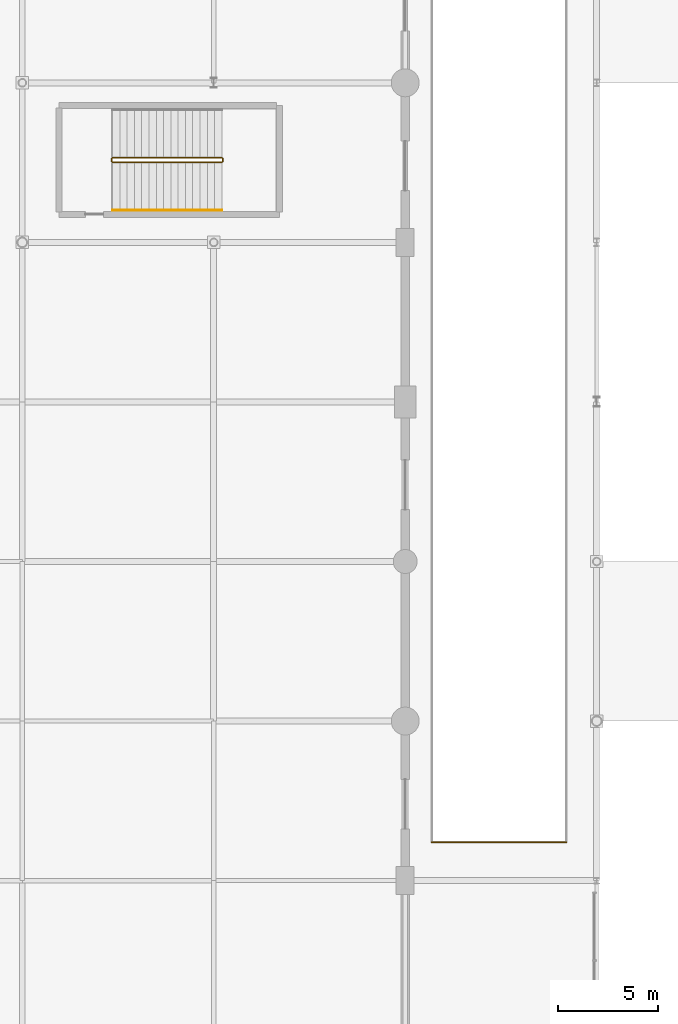
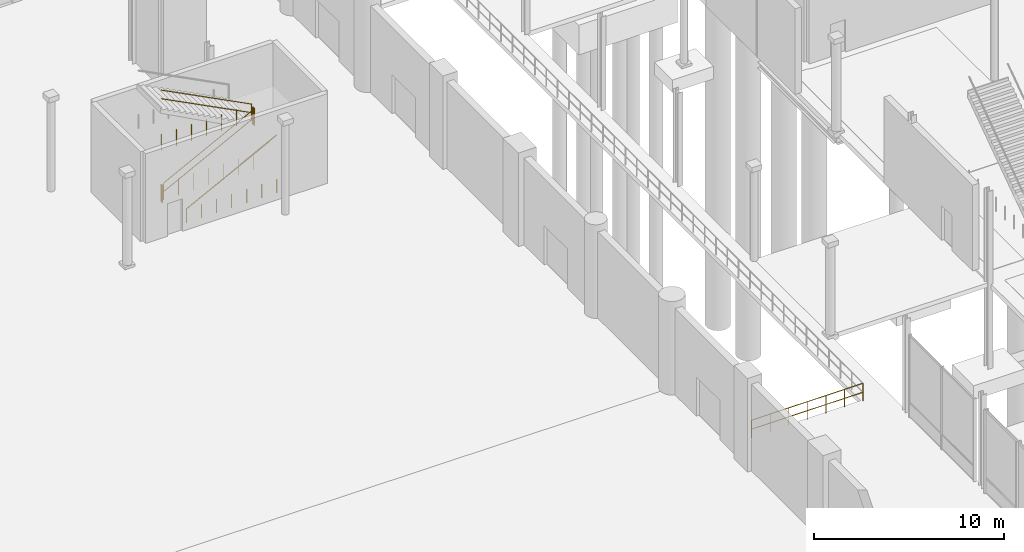
# One storey, part 112 of 124: 6 railings.
"""IFC4 building model written with IfcOpenShell, lengths in metres."""

from ifc_helpers import new_model, si_unit, direction, frame, origin, origin_2d, place, context, subcontext, project, spatial, circle, extrude, material, type_object, element, save


model = new_model("IFC4")

# Units and contexts
model_context = context("Model", 3, precision=1e-05, world=origin(), true_north=direction((0.0, 1.0)))
body_context = subcontext(model_context, "Body", "Model", "MODEL_VIEW")
ifc_project = project(units=[si_unit("LENGTHUNIT", "METRE"), si_unit("AREAUNIT", "SQUARE_METRE"), si_unit("VOLUMEUNIT", "CUBIC_METRE"), si_unit("PLANEANGLEUNIT", "RADIAN"), si_unit("MASSUNIT", "GRAM", prefix="KILO")], contexts=[model_context])

# Site, building, storey
site_placement = place(None, origin())
site = spatial("IfcSite", under=ifc_project, at=site_placement, CompositionType="ELEMENT")
building_placement = place(site_placement, origin())
building = spatial("IfcBuilding", under=site, at=building_placement, Name="Danafjord Basin Convention Centre", CompositionType="ELEMENT")
storey_placement = place(building_placement, origin())
storey = spatial("IfcBuildingStorey", under=building, at=storey_placement, Name="L00", CompositionType="ELEMENT", Elevation=0.0)

# Railings
ifc_material_1 = material(Name="Galvanised and powder-coated steel S355", Category="steel")
railing_type_1 = type_object("IfcRailingType", Name="RL-BAL-STL", PredefinedType="BALUSTRADE", material=ifc_material_1)
railing_1_placement = place(storey_placement, frame((116.52001953125, 89.919921875, 0.0)))
element("IfcRailing", 1, at=railing_1_placement, inside=storey, type_object=railing_type_1, Name="L00 vehicle ramp well safety balustrade", PredefinedType="BALUSTRADE", context=body_context, shape_type="SweptSolid", body=[
    extrude(circle(Radius=0.02392578125, at=origin_2d()), frame((0.0, 0.0, 1.1259765625), z_axis=(1.0, 0.0, 0.0), x_axis=(0.0, 1.0, 0.0)), (0.0, 0.0, 1.0), 6.760009765625),
    extrude(circle(Radius=0.02392578125, at=origin_2d()), frame((0.0, 0.0, 0.55078125), z_axis=(1.0, 0.0, 0.0), x_axis=(0.0, 1.0, 0.0)), (0.0, 0.0, 1.0), 6.760009765625),
    extrude(circle(Radius=0.02099609375, at=origin_2d()), origin(), (0.0, 0.0, 1.0), 1.099853515625),
    extrude(circle(Radius=0.02099609375, at=origin_2d()), frame((1.126708984375, 0.0, 0.0)), (0.0, 0.0, 1.0), 1.099853515625),
    extrude(circle(Radius=0.02099609375, at=origin_2d()), frame((2.25341796875, 0.0, 0.0)), (0.0, 0.0, 1.0), 1.099853515625),
    extrude(circle(Radius=0.02099609375, at=origin_2d()), frame((3.3798828125, 0.0, 0.0)), (0.0, 0.0, 1.0), 1.099853515625),
    extrude(circle(Radius=0.02099609375, at=origin_2d()), frame((4.506591796875, 0.0, 0.0)), (0.0, 0.0, 1.0), 1.099853515625),
    extrude(circle(Radius=0.02099609375, at=origin_2d()), frame((5.63330078125, 0.0, 0.0)), (0.0, 0.0, 1.0), 1.099853515625),
    extrude(circle(Radius=0.02099609375, at=origin_2d()), frame((6.760009765625, 0.0, 0.0)), (0.0, 0.0, 1.0), 1.099853515625),
])
ifc_material_2 = material(Name="Galvanised steel S355", Category="steel")
railing_type_2 = type_object("IfcRailingType", Name="RL-GD-WELL", PredefinedType="BALUSTRADE", material=ifc_material_2)
railing_2_placement = place(storey_placement, frame((100.530029296875, 124.010009765625, 0.1875)))
element("IfcRailing", 2, at=railing_2_placement, inside=storey, type_object=railing_type_2, Name="L00 ST-09 stair guard 1", PredefinedType="BALUSTRADE", context=body_context, shape_type="SweptSolid", body=[
    extrude(circle(Radius=0.02392578125, at=origin_2d()), frame((0.0, 0.0, 1.076171875), z_axis=(0.889495128042, 0.0, 0.456944654405), x_axis=(0.0, 1.0, 0.0)), (0.0, 0.0, 1.0), 6.155029296875),
    extrude(circle(Radius=0.02392578125, at=origin_2d()), frame((0.0, 0.0, 0.52587890625), z_axis=(0.889495128042, 0.0, 0.456944654405), x_axis=(0.0, 1.0, 0.0)), (0.0, 0.0, 1.0), 6.155029296875),
    extrude(circle(Radius=0.02099609375, at=origin_2d()), origin(), (0.0, 0.0, 1.0), 1.050048828125),
    extrude(circle(Radius=0.02099609375, at=origin_2d()), frame((0.91259765625, 0.0, 0.0)), (0.0, 0.0, 1.0), 1.050048828125),
    extrude(circle(Radius=0.02099609375, at=origin_2d()), frame((1.824951171875, 0.0, 0.0)), (0.0, 0.0, 1.0), 1.050048828125),
    extrude(circle(Radius=0.02099609375, at=origin_2d()), frame((2.7373046875, 0.0, 0.0)), (0.0, 0.0, 1.0), 1.050048828125),
    extrude(circle(Radius=0.02099609375, at=origin_2d()), frame((3.64990234375, 0.0, 0.0)), (0.0, 0.0, 1.0), 1.050048828125),
    extrude(circle(Radius=0.02099609375, at=origin_2d()), frame((4.5625, 0.0, 0.0)), (0.0, 0.0, 1.0), 1.050048828125),
    extrude(circle(Radius=0.02099609375, at=origin_2d()), frame((5.474853515625, 0.0, 0.0)), (0.0, 0.0, 1.0), 1.050048828125),
])
railing_3_placement = place(storey_placement, frame((106.054931640625, 124.06005859375, 3.0)))
element("IfcRailing", 3, at=railing_3_placement, inside=storey, type_object=railing_type_2, Name="L00 ST-09 stair guard 2", PredefinedType="BALUSTRADE", context=body_context, shape_type="SweptSolid", body=[
    extrude(circle(Radius=0.02392578125, at=origin_2d()), frame((0.0, 0.0, 1.076171875), z_axis=(0.0, 1.0, 0.0), x_axis=(-1.0, 0.0, 0.0)), (0.0, 0.0, 1.0), 0.139892578125),
    extrude(circle(Radius=0.02392578125, at=origin_2d()), frame((0.0, 0.0, 0.52587890625), z_axis=(0.0, 1.0, 0.0), x_axis=(-1.0, 0.0, 0.0)), (0.0, 0.0, 1.0), 0.139892578125),
    extrude(circle(Radius=0.02099609375, at=origin_2d()), origin(), (0.0, 0.0, 1.0), 1.050048828125),
    extrude(circle(Radius=0.02099609375, at=origin_2d()), frame((0.0, 0.139892578125, 0.0)), (0.0, 0.0, 1.0), 1.050048828125),
])
railing_4_placement = place(storey_placement, frame((106.0048828125, 124.25, 3.1875)))
element("IfcRailing", 4, at=railing_4_placement, inside=storey, type_object=railing_type_2, Name="L00 ST-09 stair guard 3", PredefinedType="BALUSTRADE", context=body_context, shape_type="SweptSolid", body=[
    extrude(circle(Radius=0.02392578125, at=origin_2d()), frame((0.0, 0.0, 1.076171875), z_axis=(-0.889495128042, 0.0, 0.456944654405), x_axis=(0.0, -1.0, 0.0)), (0.0, 0.0, 1.0), 6.155029296875),
    extrude(circle(Radius=0.02392578125, at=origin_2d()), frame((0.0, 0.0, 0.52587890625), z_axis=(-0.889495128042, 0.0, 0.456944654405), x_axis=(0.0, -1.0, 0.0)), (0.0, 0.0, 1.0), 6.155029296875),
    extrude(circle(Radius=0.02099609375, at=origin_2d()), origin(), (0.0, 0.0, 1.0), 1.050048828125),
    extrude(circle(Radius=0.02099609375, at=origin_2d()), frame((-0.91259765625, 0.0, 0.0)), (0.0, 0.0, 1.0), 1.050048828125),
    extrude(circle(Radius=0.02099609375, at=origin_2d()), frame((-1.824951171875, 0.0, 0.0)), (0.0, 0.0, 1.0), 1.050048828125),
    extrude(circle(Radius=0.02099609375, at=origin_2d()), frame((-2.7373046875, 0.0, 0.0)), (0.0, 0.0, 1.0), 1.050048828125),
    extrude(circle(Radius=0.02099609375, at=origin_2d()), frame((-3.64990234375, 0.0, 0.0)), (0.0, 0.0, 1.0), 1.050048828125),
    extrude(circle(Radius=0.02099609375, at=origin_2d()), frame((-4.5625, 0.0, 0.0)), (0.0, 0.0, 1.0), 1.050048828125),
    extrude(circle(Radius=0.02099609375, at=origin_2d()), frame((-5.474853515625, 0.0, 0.0)), (0.0, 0.0, 1.0), 1.050048828125),
])
railing_5_placement = place(storey_placement, frame((100.47998046875, 124.06005859375, 0.0)))
element("IfcRailing", 5, at=railing_5_placement, inside=storey, type_object=railing_type_2, Name="L00 ST-09 stair guard 4", PredefinedType="BALUSTRADE", context=body_context, shape_type="SweptSolid", body=[
    extrude(circle(Radius=0.02392578125, at=origin_2d()), frame((0.0, 0.0, 1.076171875), z_axis=(0.0, 1.0, 0.0), x_axis=(-1.0, 0.0, 0.0)), (0.0, 0.0, 1.0), 0.139892578125),
    extrude(circle(Radius=0.02392578125, at=origin_2d()), frame((0.0, 0.0, 0.52587890625), z_axis=(0.0, 1.0, 0.0), x_axis=(-1.0, 0.0, 0.0)), (0.0, 0.0, 1.0), 0.139892578125),
    extrude(circle(Radius=0.02099609375, at=origin_2d()), origin(), (0.0, 0.0, 1.0), 1.050048828125),
    extrude(circle(Radius=0.02099609375, at=origin_2d()), frame((0.0, 0.139892578125, 0.0)), (0.0, 0.0, 1.0), 1.050048828125),
])
ifc_material_3 = material(Name="Brushed stainless steel EN 1.4404", Category="steel")
railing_type_3 = type_object("IfcRailingType", Name="RL-HR-STAIR", PredefinedType="HANDRAIL", material=ifc_material_3)
railing_6_placement = place(storey_placement, frame((100.530029296875, 121.610107421875, 0.1875)))
element("IfcRailing", 6, at=railing_6_placement, inside=storey, type_object=railing_type_3, Name="L00 ST-09 stair handrail 1", PredefinedType="HANDRAIL", context=body_context, shape_type="SweptSolid", body=[
    extrude(circle(Radius=0.02392578125, at=origin_2d()), frame((0.0, 0.0, 0.8759765625), z_axis=(0.889495128042, 0.0, 0.456944654405), x_axis=(0.0, 1.0, 0.0)), (0.0, 0.0, 1.0), 6.155029296875),
    extrude(circle(Radius=0.02099609375, at=origin_2d()), origin(), (0.0, 0.0, 1.0), 0.849853515625),
    extrude(circle(Radius=0.02099609375, at=origin_2d()), frame((0.91259765625, 0.0, 0.0)), (0.0, 0.0, 1.0), 0.849853515625),
    extrude(circle(Radius=0.02099609375, at=origin_2d()), frame((1.824951171875, 0.0, 0.0)), (0.0, 0.0, 1.0), 0.849853515625),
    extrude(circle(Radius=0.02099609375, at=origin_2d()), frame((2.7373046875, 0.0, 0.0)), (0.0, 0.0, 1.0), 0.849853515625),
    extrude(circle(Radius=0.02099609375, at=origin_2d()), frame((3.64990234375, 0.0, 0.0)), (0.0, 0.0, 1.0), 0.849853515625),
    extrude(circle(Radius=0.02099609375, at=origin_2d()), frame((4.5625, 0.0, 0.0)), (0.0, 0.0, 1.0), 0.849853515625),
    extrude(circle(Radius=0.02099609375, at=origin_2d()), frame((5.474853515625, 0.0, 0.0)), (0.0, 0.0, 1.0), 0.849853515625),
])

save(model, "model.ifc")
